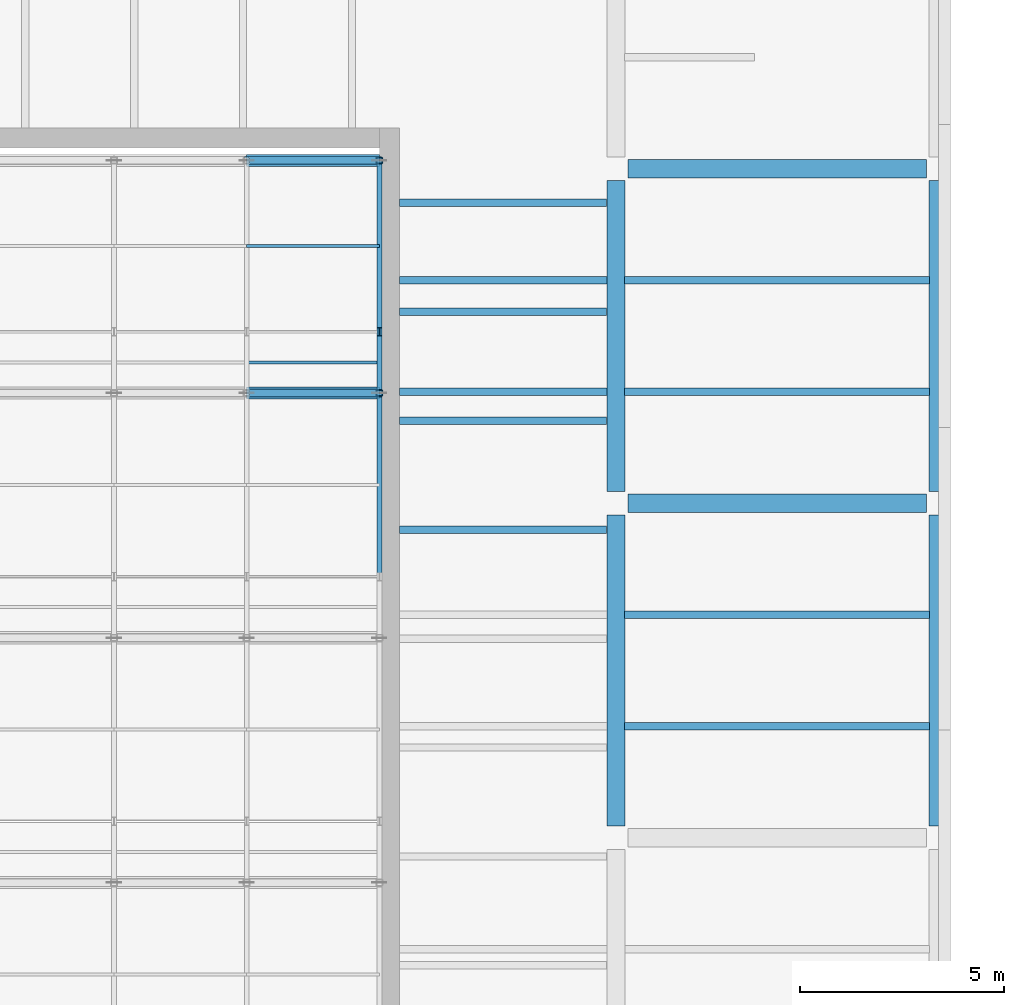
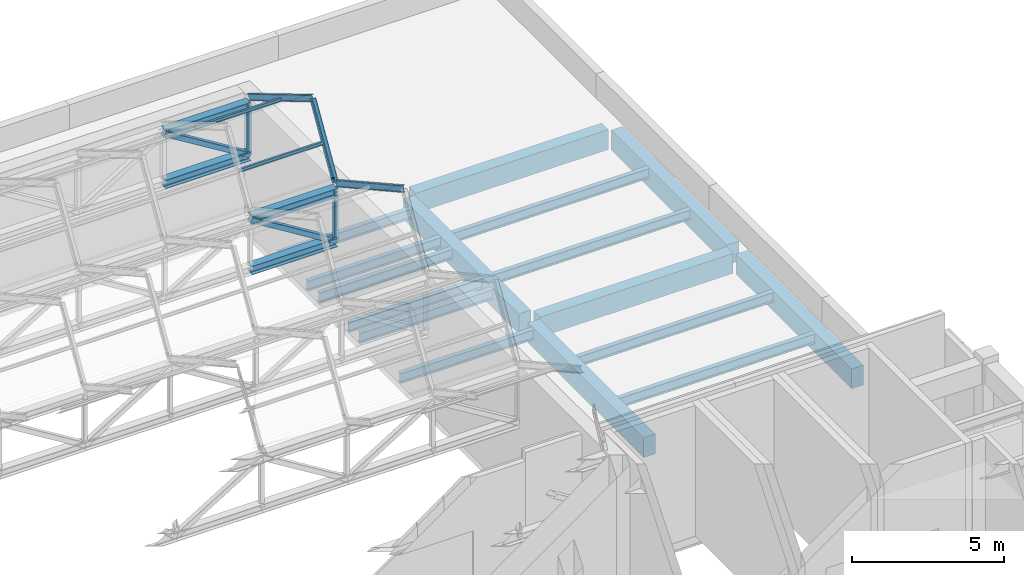
# One storey, part 56 of 132: 16 beams, 13 members.
"""IFC4 building model written with IfcOpenShell, lengths in metres."""

from ifc_helpers import new_model, si_unit, direction, frame, origin, origin_2d, place, context, subcontext, project, spatial, rectangle, hollow_rectangle, i_section, extrude, material, material_profile, profile_set, type_object, element, save


model = new_model("IFC4")

# Units and contexts
model_context = context("Model", 3, precision=1e-05, world=origin(), true_north=direction((0.0, 1.0)))
body_context = subcontext(model_context, "Body", "Model", "MODEL_VIEW")
ifc_project = project(units=[si_unit("LENGTHUNIT", "METRE"), si_unit("AREAUNIT", "SQUARE_METRE"), si_unit("VOLUMEUNIT", "CUBIC_METRE"), si_unit("PLANEANGLEUNIT", "RADIAN"), si_unit("MASSUNIT", "GRAM", prefix="KILO")], contexts=[model_context])

# Site, building, storey
site_placement = place(None, origin())
site = spatial("IfcSite", under=ifc_project, at=site_placement, CompositionType="ELEMENT")
building_placement = place(site_placement, origin())
building = spatial("IfcBuilding", under=site, at=building_placement, Name="Lunette Opera House", CompositionType="ELEMENT")
storey_placement = place(building_placement, frame((0.0, 0.0, 17.0)))
storey = spatial("IfcBuildingStorey", under=building, at=storey_placement, Name="L03", CompositionType="ELEMENT", Elevation=17.0)

# Members
ifc_material_1 = material(Name="Steel S355", Category="steel")
ifc_material_profile_1 = material_profile(ifc_material_1, i_section(OverallWidth=0.300048828125, OverallDepth=0.35009765625, WebThickness=0.010009765625, FlangeThickness=0.017578125, FilletRadius=0.027099609375, at=origin_2d()), Name="HEA 360")
ifc_profile_set_1 = profile_set([ifc_material_profile_1], Name="Steel S355")
member_type_1 = type_object("IfcMemberType", Name="CHORD HEA 360", PredefinedType="CHORD", material=ifc_profile_set_1)
for number, where, z_axis, x_axis, name in (
    (1, (166.75, 122.0, 5.205078125), (1.0, 0.0, 0.0), (0.0, 1.0, 0.0), "mem-WW-L03-WW-TR04-TC8"),
    (2, (166.75, 122.0, 3.205078125), (1.0, 0.0, 0.0), (0.0, 1.0, 0.0), "mem-WW-L03-WW-TR04-BC8"),
    (3, (166.75, 127.699951171875, 5.205078125), (1.0, 0.0, 0.0), (0.0, 1.0, 0.0), "mem-WW-L03-WW-TR05-TC8"),
    (4, (166.75, 127.699951171875, 3.205078125), (1.0, 0.0, 0.0), (0.0, 1.0, 0.0), "mem-WW-L03-WW-TR05-BC8"),
):
    element("IfcMember", number, at=place(storey_placement, frame(where, z_axis=z_axis, x_axis=x_axis)), inside=storey, type_object=member_type_1, Name=name, PredefinedType="CHORD", context=body_context, shape_type="SweptSolid", body=[
        extrude(i_section(OverallWidth=0.300048828125, OverallDepth=0.35009765625, WebThickness=0.010009765625, FlangeThickness=0.017578125, FilletRadius=0.027099609375, at=origin_2d()), origin(), (0.0, 0.0, 1.0), 3.25),
    ])
ifc_material_2 = material(Name="Steel S355", Category="steel")
ifc_material_profile_2 = material_profile(ifc_material_2, hollow_rectangle(XDim=0.199951171875, YDim=0.199951171875, WallThickness=0.008056640625, InnerFilletRadius=0.008056640625, OuterFilletRadius=0.01611328125, at=origin_2d()), Name="RHS 200X200X8")
ifc_profile_set_2 = profile_set([ifc_material_profile_2], Name="Steel S355")
member_type_2 = type_object("IfcMemberType", Name="DIAGONAL RHS 200X200X8", PredefinedType="BRACE", material=ifc_profile_set_2)
for number, where, z_axis, x_axis, name in (
    (5, (166.75, 122.0, 5.205078125), (0.851658316705, 0.0, -0.524097425664), (0.0, 1.0, 0.0), "mem-WW-L03-WW-TR04-TD8"),
    (6, (166.75, 127.699951171875, 5.205078125), (0.851658316705, 0.0, -0.524097425664), (0.0, 1.0, 0.0), "mem-WW-L03-WW-TR05-TD8"),
):
    element("IfcMember", number, at=place(storey_placement, frame(where, z_axis=z_axis, x_axis=x_axis)), inside=storey, type_object=member_type_2, Name=name, PredefinedType="BRACE", context=body_context, shape_type="SweptSolid", body=[
        extrude(hollow_rectangle(XDim=0.199951171875, YDim=0.199951171875, WallThickness=0.008056640625, InnerFilletRadius=0.008056640625, OuterFilletRadius=0.01611328125, at=origin_2d()), origin(), (0.0, 0.0, 1.0), 3.816162109375),
    ])
ifc_material_3 = material(Name="Steel S355", Category="steel")
ifc_material_profile_3 = material_profile(ifc_material_3, i_section(OverallWidth=0.072998046875, OverallDepth=0.139892578125, WebThickness=0.004638671875, FlangeThickness=0.0068359375, FilletRadius=0.007080078125, at=origin_2d()), Name="IPE 140")
ifc_profile_set_3 = profile_set([ifc_material_profile_3], Name="Steel S355")
member_type_3 = type_object("IfcMemberType", Name="PURLIN IPE 140", PredefinedType="PURLIN", material=ifc_profile_set_3)
for number, where, z_axis, x_axis, name in (
    (7, (166.75, 122.75, 6.679931640625), (1.0, 0.0, 0.0), (0.0, 1.0, 0.0), "mem-WW-L03-WW-PN4-8A"),
    (8, (166.75, 125.60009765625, 6.679931640625), (1.0, 0.0, 0.0), (0.0, 1.0, 0.0), "mem-WW-L03-WW-PN4-8B"),
):
    element("IfcMember", number, at=place(storey_placement, frame(where, z_axis=z_axis, x_axis=x_axis)), inside=storey, type_object=member_type_3, Name=name, PredefinedType="PURLIN", context=body_context, shape_type="SweptSolid", body=[
        extrude(i_section(OverallWidth=0.072998046875, OverallDepth=0.139892578125, WebThickness=0.004638671875, FlangeThickness=0.0068359375, FilletRadius=0.007080078125, at=origin_2d()), origin(), (0.0, 0.0, 1.0), 3.25),
    ])
ifc_material_4 = material(Name="Steel S355", Category="steel")
ifc_material_profile_4 = material_profile(ifc_material_4, i_section(OverallWidth=0.1201171875, OverallDepth=0.239990234375, WebThickness=0.006103515625, FlangeThickness=0.009765625, FilletRadius=0.014892578125, at=origin_2d()), Name="IPE 240")
ifc_profile_set_4 = profile_set([ifc_material_profile_4], Name="Steel S355")
member_type_4 = type_object("IfcMemberType", Name="RAFTER IPE 240", PredefinedType="RAFTER", material=ifc_profile_set_4)
member_1_placement = place(storey_placement, frame((170.0, 117.5, 8.0), z_axis=(0.0, 0.874157276122, -0.485642931179), x_axis=(-1.0, 0.0, 0.0)))
element("IfcMember", 9, at=member_1_placement, inside=storey, type_object=member_type_4, Name="mem-WW-L03-WW-RF3-9B", PredefinedType="RAFTER", context=body_context, shape_type="SweptSolid", body=[
    extrude(i_section(OverallWidth=0.1201171875, OverallDepth=0.239990234375, WebThickness=0.006103515625, FlangeThickness=0.009765625, FilletRadius=0.014892578125, at=origin_2d()), origin(), (0.0, 0.0, 1.0), 5.147705078125),
])
member_2_placement = place(storey_placement, frame((170.0, 122.0, 5.5), z_axis=(0.0, 0.514495755428, 0.857492925713), x_axis=(-1.0, 0.0, 0.0)))
element("IfcMember", 10, at=member_2_placement, inside=storey, type_object=member_type_4, Name="mem-WW-L03-WW-RF4-9A", PredefinedType="RAFTER", context=body_context, shape_type="SweptSolid", body=[
    extrude(i_section(OverallWidth=0.1201171875, OverallDepth=0.239990234375, WebThickness=0.006103515625, FlangeThickness=0.009765625, FilletRadius=0.014892578125, at=origin_2d()), origin(), (0.0, 0.0, 1.0), 2.91552734375),
])
member_3_placement = place(storey_placement, frame((170.0, 123.5, 8.0), z_axis=(0.0, 0.859290270856, -0.511488250512), x_axis=(-1.0, 0.0, 0.0)))
element("IfcMember", 11, at=member_3_placement, inside=storey, type_object=member_type_4, Name="mem-WW-L03-WW-RF4-9B", PredefinedType="RAFTER", context=body_context, shape_type="SweptSolid", body=[
    extrude(i_section(OverallWidth=0.1201171875, OverallDepth=0.239990234375, WebThickness=0.006103515625, FlangeThickness=0.009765625, FilletRadius=0.014892578125, at=origin_2d()), origin(), (0.0, 0.0, 1.0), 4.8876953125),
])

# Beams
ifc_material_5 = material(Name="Concrete C35/45", Category="concrete")
ifc_material_profile_5 = material_profile(ifc_material_5, rectangle(XDim=0.449951171875, YDim=0.800048828125, at=origin_2d()), Name="RC BEAM 450X800")
ifc_profile_set_5 = profile_set([ifc_material_profile_5], Name="Concrete C35/45")
beam_type_1 = type_object("IfcBeamType", Name="RC BEAM 450X800", PredefinedType="BEAM", material=ifc_profile_set_5)
beam_1_placement = place(storey_placement, frame((175.800048828125, 111.389892578125, -0.64990234375), z_axis=(0.0, 1.0, 0.0), x_axis=(-1.0, 0.0, 0.0)))
element("IfcBeam", 12, at=beam_1_placement, inside=storey, type_object=beam_type_1, Name="beam-WW-L03-L03-GY54", PredefinedType="BEAM", context=body_context, shape_type="SweptSolid", body=[
    extrude(rectangle(XDim=0.449951171875, YDim=0.800048828125, at=origin_2d()), origin(), (0.0, 0.0, 1.0), 7.6201171875),
])
beam_2_placement = place(storey_placement, frame((175.800048828125, 119.590087890625, -0.64990234375), z_axis=(0.0, 1.0, 0.0), x_axis=(-1.0, 0.0, 0.0)))
element("IfcBeam", 13, at=beam_2_placement, inside=storey, type_object=beam_type_1, Name="beam-WW-L03-L03-GY55", PredefinedType="BEAM", context=body_context, shape_type="SweptSolid", body=[
    extrude(rectangle(XDim=0.449951171875, YDim=0.800048828125, at=origin_2d()), origin(), (0.0, 0.0, 1.0), 7.619873046875),
])
beam_3_placement = place(storey_placement, frame((183.699951171875, 111.389892578125, -0.64990234375), z_axis=(0.0, 1.0, 0.0), x_axis=(-1.0, 0.0, 0.0)))
element("IfcBeam", 14, at=beam_3_placement, inside=storey, type_object=beam_type_1, Name="beam-WW-L03-L03-GY64", PredefinedType="BEAM", context=body_context, shape_type="SweptSolid", body=[
    extrude(rectangle(XDim=0.449951171875, YDim=0.800048828125, at=origin_2d()), origin(), (0.0, 0.0, 1.0), 7.6201171875),
])
beam_4_placement = place(storey_placement, frame((183.699951171875, 119.590087890625, -0.64990234375), z_axis=(0.0, 1.0, 0.0), x_axis=(-1.0, 0.0, 0.0)))
element("IfcBeam", 15, at=beam_4_placement, inside=storey, type_object=beam_type_1, Name="beam-WW-L03-L03-GY65", PredefinedType="BEAM", context=body_context, shape_type="SweptSolid", body=[
    extrude(rectangle(XDim=0.449951171875, YDim=0.800048828125, at=origin_2d()), origin(), (0.0, 0.0, 1.0), 7.619873046875),
])
for number, where, z_axis, x_axis, name in (
    (16, (176.090087890625, 119.300048828125, -0.64990234375), (1.0, 0.0, 0.0), (0.0, 1.0, 0.0), "beam-WW-L03-L03-GX55"),
    (17, (176.090087890625, 127.5, -0.64990234375), (1.0, 0.0, 0.0), (0.0, 1.0, 0.0), "beam-WW-L03-L03-GX56"),
):
    element("IfcBeam", number, at=place(storey_placement, frame(where, z_axis=z_axis, x_axis=x_axis)), inside=storey, type_object=beam_type_1, Name=name, PredefinedType="BEAM", context=body_context, shape_type="SweptSolid", body=[
        extrude(rectangle(XDim=0.449951171875, YDim=0.800048828125, at=origin_2d()), origin(), (0.0, 0.0, 1.0), 7.31982421875),
    ])
ifc_material_6 = material(Name="Steel S355", Category="steel")
ifc_material_profile_6 = material_profile(ifc_material_6, i_section(OverallWidth=0.179931640625, OverallDepth=0.39990234375, WebThickness=0.008544921875, FlangeThickness=0.013427734375, FilletRadius=0.02099609375, at=origin_2d()), Name="IPE 400")
ifc_profile_set_6 = profile_set([ifc_material_profile_6], Name="Steel S355")
beam_type_2 = type_object("IfcBeamType", Name="STEEL BEAM IPE 400", PredefinedType="BEAM", material=ifc_profile_set_6)
for number, where, z_axis, x_axis, name in (
    (18, (170.5, 122.032958984375, -0.449951171875), (1.0, 0.0, 0.0), (0.0, 1.0, 0.0), "beam-WW-L03-L03-SX451-01"),
    (19, (170.5, 124.76708984375, -0.449951171875), (1.0, 0.0, 0.0), (0.0, 1.0, 0.0), "beam-WW-L03-L03-SX452-01"),
):
    element("IfcBeam", number, at=place(storey_placement, frame(where, z_axis=z_axis, x_axis=x_axis)), inside=storey, type_object=beam_type_2, Name=name, PredefinedType="BEAM", context=body_context, shape_type="SweptSolid", body=[
        extrude(i_section(OverallWidth=0.179931640625, OverallDepth=0.39990234375, WebThickness=0.008544921875, FlangeThickness=0.013427734375, FilletRadius=0.02099609375, at=origin_2d()), origin(), (0.0, 0.0, 1.0), 5.0849609375),
    ])
for number, where, z_axis, x_axis, name in (
    (20, (176.014892578125, 113.8330078125, -0.449951171875), (1.0, 0.0, 0.0), (0.0, 1.0, 0.0), "beam-WW-L03-L03-SX541"),
    (21, (176.014892578125, 116.56689453125, -0.449951171875), (1.0, 0.0, 0.0), (0.0, 1.0, 0.0), "beam-WW-L03-L03-SX542"),
    (22, (176.014892578125, 122.032958984375, -0.449951171875), (1.0, 0.0, 0.0), (0.0, 1.0, 0.0), "beam-WW-L03-L03-SX551"),
    (23, (176.014892578125, 124.76708984375, -0.449951171875), (1.0, 0.0, 0.0), (0.0, 1.0, 0.0), "beam-WW-L03-L03-SX552"),
):
    element("IfcBeam", number, at=place(storey_placement, frame(where, z_axis=z_axis, x_axis=x_axis)), inside=storey, type_object=beam_type_2, Name=name, PredefinedType="BEAM", context=body_context, shape_type="SweptSolid", body=[
        extrude(i_section(OverallWidth=0.179931640625, OverallDepth=0.39990234375, WebThickness=0.008544921875, FlangeThickness=0.013427734375, FilletRadius=0.02099609375, at=origin_2d()), origin(), (0.0, 0.0, 1.0), 7.47021484375),
    ])
for number, where, z_axis, x_axis, name in (
    (24, (170.5, 118.64990234375, -0.449951171875), (1.0, 0.0, 0.0), (0.0, 1.0, 0.0), "beam-WW-L03-L03-RJE1441045"),
    (25, (170.5, 121.320068359375, -0.449951171875), (1.0, 0.0, 0.0), (0.0, 1.0, 0.0), "beam-WW-L03-L03-RJE1441046"),
    (26, (170.5, 123.989990234375, -0.449951171875), (1.0, 0.0, 0.0), (0.0, 1.0, 0.0), "beam-WW-L03-L03-RJE1441047"),
    (27, (170.5, 126.659912109375, -0.449951171875), (1.0, 0.0, 0.0), (0.0, 1.0, 0.0), "beam-WW-L03-L03-RJE1441048"),
):
    element("IfcBeam", number, at=place(storey_placement, frame(where, z_axis=z_axis, x_axis=x_axis)), inside=storey, type_object=beam_type_2, Name=name, PredefinedType="BEAM", context=body_context, shape_type="SweptSolid", body=[
        extrude(i_section(OverallWidth=0.179931640625, OverallDepth=0.39990234375, WebThickness=0.008544921875, FlangeThickness=0.013427734375, FilletRadius=0.02099609375, at=origin_2d()), origin(), (0.0, 0.0, 1.0), 5.06494140625),
    ])

# Members
ifc_material_7 = material(Name="Steel S355", Category="steel")
ifc_material_profile_7 = material_profile(ifc_material_7, hollow_rectangle(XDim=0.159912109375, YDim=0.159912109375, WallThickness=0.008056640625, InnerFilletRadius=0.008056640625, OuterFilletRadius=0.01611328125, at=origin_2d()), Name="RHS 160X160X8")
ifc_profile_set_7 = profile_set([ifc_material_profile_7], Name="Steel S355")
member_type_5 = type_object("IfcMemberType", Name="VERTICAL RHS 160X160X8", PredefinedType="POST", material=ifc_profile_set_7)
for number, where, z_axis, x_axis, name in (
    (28, (170.0, 122.0, 3.205078125), (0.0, 0.0, 1.0), (1.0, 0.0, 0.0), "mem-WW-L03-WW-TR04-TV9"),
    (29, (170.0, 127.699951171875, 3.205078125), (0.0, 0.0, 1.0), (1.0, 0.0, 0.0), "mem-WW-L03-WW-TR05-TV9"),
):
    element("IfcMember", number, at=place(storey_placement, frame(where, z_axis=z_axis, x_axis=x_axis)), inside=storey, type_object=member_type_5, Name=name, PredefinedType="POST", context=body_context, shape_type="SweptSolid", body=[
        extrude(hollow_rectangle(XDim=0.159912109375, YDim=0.159912109375, WallThickness=0.008056640625, InnerFilletRadius=0.008056640625, OuterFilletRadius=0.01611328125, at=origin_2d()), origin(), (0.0, 0.0, 1.0), 2.0),
    ])

save(model, "model.ifc")
